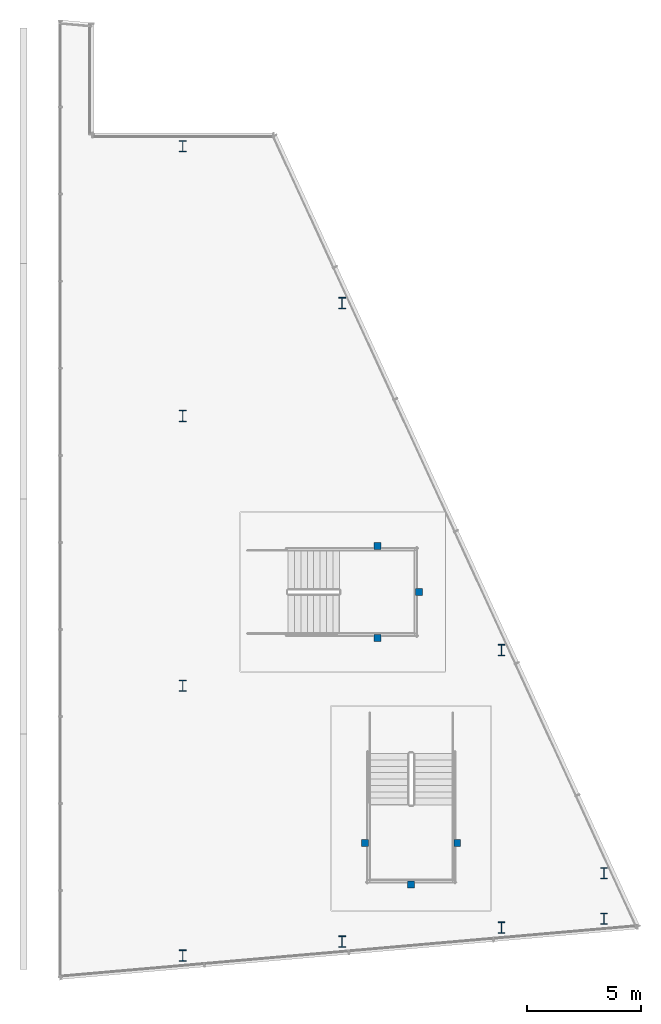
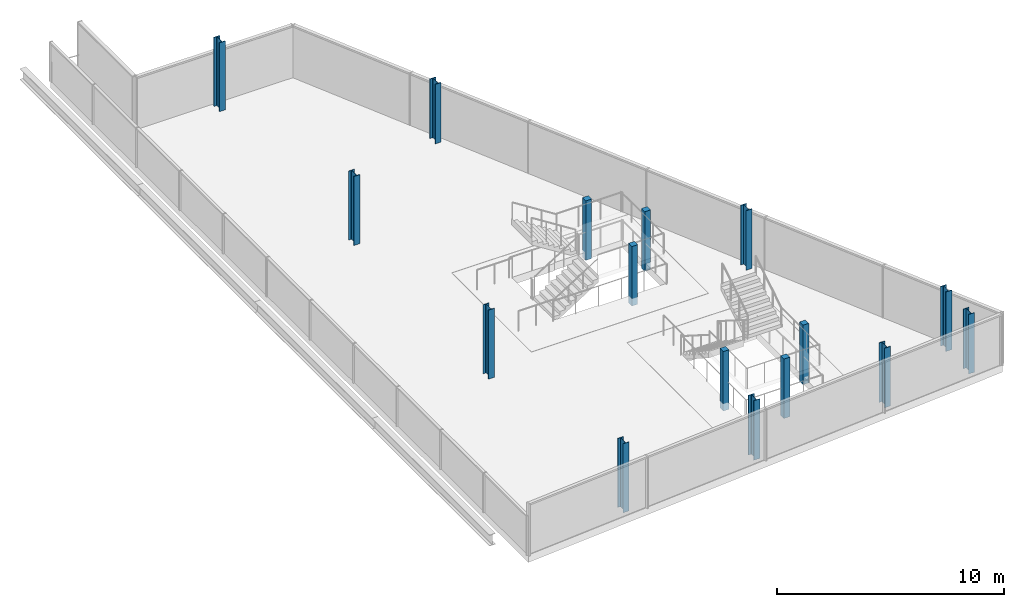
# One storey, part 1 of 6: 16 columns.
"""IFC4 building model written with IfcOpenShell, lengths in metres."""

import ifcopenshell
import ifcopenshell.guid

model = None  # the IFC model being written
_history = None  # IfcOwnerHistory: only IFC2X3 demands one
_inside = {}  # id of a spatial element -> (the spatial element, [elements in it])
_under = {}  # id of a project, library or spatial element -> (it, [spatial elements below it])
_declared = {}  # id of a project -> (the project, [libraries it declares])
_typed = {}  # id of a type object -> (the type object, [elements of that type])
_made_of = {}  # id of a material, layer set ... -> (it, [elements and type objects made of it])


def new_model(schema):
    """Start an empty IFC model of exactly this schema.

    Asked for "IFC4X3", IfcOpenShell would pick the latest addendum, in which some entities
    have other attributes; the version numbers below select the first issue.
    IFC2X3 requires an IfcOwnerHistory on every rooted entity: one is made here for all.
    """
    global model, _history
    if schema == "IFC4X3":
        model = ifcopenshell.file(schema_version=(4, 3, 0, 0))
    else:
        model = ifcopenshell.file(schema=schema)
    _inside.clear()
    _under.clear()
    _declared.clear()
    _typed.clear()
    _made_of.clear()
    _history = None
    if model.schema == "IFC2X3":
        org = make("IfcOrganization", Name="unknown")
        user = make(
            "IfcPersonAndOrganization",
            ThePerson=make("IfcPerson", FamilyName="unknown"),
            TheOrganization=org,
        )
        app = make(
            "IfcApplication",
            ApplicationDeveloper=org,
            Version="unknown",
            ApplicationFullName="unknown",
            ApplicationIdentifier="unknown",
        )
        _history = make(
            "IfcOwnerHistory",
            OwningUser=user,
            OwningApplication=app,
            ChangeAction="ADDED",
            CreationDate=0,
        )
    return model


def make(cls, **values):
    """One entity of the class cls with the attributes given. An attribute that is None is left unset."""
    return model.create_entity(
        cls, **{name: value for name, value in values.items() if value is not None}
    )


def rooted(cls, **values):
    """An entity with a GlobalId (a new one), such as an element, a storey or a relation."""
    return make(cls, GlobalId=ifcopenshell.guid.new(), OwnerHistory=_history, **values)


def si_unit(unit_type, name, prefix=None):
    """IfcSIUnit, for example si_unit("LENGTHUNIT", "METRE", prefix="MILLI")."""
    return make("IfcSIUnit", UnitType=unit_type, Prefix=prefix, Name=name)


def assignment(units):
    """IfcUnitAssignment: the units of a project."""
    return None if units is None else make("IfcUnitAssignment", Units=units)


def point(xyz):
    """IfcCartesianPoint."""
    return None if xyz is None else make("IfcCartesianPoint", Coordinates=xyz)


def direction(xyz):
    """IfcDirection."""
    return None if xyz is None else make("IfcDirection", DirectionRatios=xyz)


def frame(location, z_axis=None, x_axis=None):
    """IfcAxis2Placement3D, a coordinate frame: its origin and axes. An axis left out is left unset."""
    return make(
        "IfcAxis2Placement3D",
        Location=point(location),
        Axis=direction(z_axis),
        RefDirection=direction(x_axis),
    )


def frame_2d(location, x_axis=None):
    """IfcAxis2Placement2D, a coordinate frame in the plane: its origin and x axis."""
    return make(
        "IfcAxis2Placement2D", Location=point(location), RefDirection=direction(x_axis)
    )


def origin():
    """The frame at (0, 0, 0) with its axes left unset."""
    return frame((0.0, 0.0, 0.0))


def origin_2d():
    """The frame at (0, 0) in the plane with its x axis left unset."""
    return frame_2d((0.0, 0.0))


def place(relative_to, where):
    """IfcLocalPlacement: puts the frame where relative to a parent placement (None: the world)."""
    return make(
        "IfcLocalPlacement", PlacementRelTo=relative_to, RelativePlacement=where
    )


def context(
    kind, dimensions, precision=None, world=None, true_north=None, identifier=None
):
    """IfcGeometricRepresentationContext, for example the 3D "Model" context."""
    return make(
        "IfcGeometricRepresentationContext",
        ContextIdentifier=identifier,
        ContextType=kind,
        CoordinateSpaceDimension=dimensions,
        Precision=precision,
        WorldCoordinateSystem=world,
        TrueNorth=true_north,
    )


def subcontext(parent, identifier, kind, view, scale=None):
    """IfcGeometricRepresentationSubContext, for example "Body" below "Model"."""
    return make(
        "IfcGeometricRepresentationSubContext",
        ContextIdentifier=identifier,
        ContextType=kind,
        ParentContext=parent,
        TargetScale=scale,
        TargetView=view,
    )


def project(units=None, contexts=None):
    """IfcProject with its units and contexts."""
    return rooted(
        "IfcProject",
        Name="project",
        RepresentationContexts=contexts,
        UnitsInContext=assignment(units),
    )


def spatial(cls, under=None, at=None, **own):
    """A site, building, storey or space (cls), placed at a placement, below another one or the project."""
    s = rooted(cls, ObjectPlacement=at, **own)
    if under is not None:
        _under.setdefault(under.id(), (under, []))[1].append(s)
    return s


def profile(cls, at=None, kind="AREA", **sizes):
    """A parametric profile (cls). Its sizes go by their IFC names, for example OverallWidth=200.0."""
    return make(cls, ProfileType=kind, Position=at, **sizes)


def rectangle(**sizes):
    """IfcRectangleProfileDef."""
    return profile("IfcRectangleProfileDef", **sizes)


def i_section(**sizes):
    """IfcIShapeProfileDef."""
    return profile("IfcIShapeProfileDef", **sizes)


def extrude(swept, where, along, depth):
    """IfcExtrudedAreaSolid: the profile swept, set in the frame where, extruded along a direction by depth."""
    return make(
        "IfcExtrudedAreaSolid",
        SweptArea=swept,
        Position=where,
        ExtrudedDirection=direction(along),
        Depth=depth,
    )


def shape(context_of_items, identifier, shape_type, items):
    """IfcShapeRepresentation: the items that make up one representation, for example the "Body"."""
    return make(
        "IfcShapeRepresentation",
        ContextOfItems=context_of_items,
        RepresentationIdentifier=identifier,
        RepresentationType=shape_type,
        Items=items,
    )


def material(Name=None, Category=None):
    """IfcMaterial."""
    return make("IfcMaterial", Name=Name, Category=Category)


def material_profile(
    of_material, cross_section, Name=None, Category=None, Priority=None
):
    """IfcMaterialProfile: a cross section and its material."""
    return make(
        "IfcMaterialProfile",
        Name=Name,
        Material=of_material,
        Profile=cross_section,
        Priority=Priority,
        Category=Category,
    )


def profile_set(profiles, Name=None, composite=None):
    """IfcMaterialProfileSet."""
    return make(
        "IfcMaterialProfileSet",
        Name=Name,
        MaterialProfiles=profiles,
        CompositeProfile=composite,
    )


def made_of(thing, what):
    """Note that an element or type object is made of a material, layer set ...; save() writes the relation."""
    if what is not None:
        _made_of.setdefault(what.id(), (what, []))[1].append(thing)
    return thing


def type_object(cls, material=None, **own):
    """A type object (cls), such as IfcWallType, which elements share."""
    return made_of(rooted(cls, **own), material)


def element(
    cls,
    number,
    at=None,
    inside=None,
    cuts=None,
    type_object=None,
    material=None,
    context=None,
    identifier="Body",
    shape_type=None,
    held_by="IfcProductDefinitionShape",
    body=None,
    shapes=None,
    **own,
):
    """One element of the class cls, such as IfcWall. Its Tag is "e" and its number.

    at: its placement. inside: the storey or other place that contains it. cuts: it is an
    opening in that element (IfcRelVoidsElement). A single representation is given by context,
    identifier, shape_type and body (its items); several are given by shapes. held_by: the class
    of the entity that holds the representations. save() writes the other relations.
    """
    e = rooted(cls, Tag="e%d" % number, ObjectPlacement=at, **own)
    if body is not None:
        shapes = [shape(context, identifier, shape_type, body)]
    if shapes is not None:
        e.Representation = make(held_by, Representations=shapes)
    if inside is not None:
        _inside.setdefault(inside.id(), (inside, []))[1].append(e)
    if cuts is not None:
        rooted(
            "IfcRelVoidsElement", RelatingBuildingElement=cuts, RelatedOpeningElement=e
        )
    if type_object is not None:
        _typed.setdefault(type_object.id(), (type_object, []))[1].append(e)
    return made_of(e, material)


def aggregate(whole, parts):
    """IfcRelAggregates: a whole, such as a stair, and the parts it consists of."""
    return rooted("IfcRelAggregates", RelatingObject=whole, RelatedObjects=parts)


def save(model, path):
    """Write the relations noted so far, then the file.

    IfcRelAggregates (storeys below a building ...), IfcRelContainedInSpatialStructure (elements
    in a storey), IfcRelDefinesByType, IfcRelAssociatesMaterial and IfcRelDeclares: one each for
    every whole, place, type object, material and project.
    """
    for whole, parts in _under.values():
        aggregate(whole, parts)
    for where, things in _inside.values():
        rooted(
            "IfcRelContainedInSpatialStructure",
            RelatedElements=things,
            RelatingStructure=where,
        )
    for kind, things in _typed.values():
        rooted("IfcRelDefinesByType", RelatedObjects=things, RelatingType=kind)
    for what, things in _made_of.values():
        rooted("IfcRelAssociatesMaterial", RelatedObjects=things, RelatingMaterial=what)
    for by, libraries in _declared.values():
        rooted("IfcRelDeclares", RelatingContext=by, RelatedDefinitions=libraries)
    model.write(path)


model = new_model("IFC4")

# Units and contexts
model_context = context("Model", 3, precision=1e-05, world=origin(), true_north=direction((0.0, 1.0)))
body_context = subcontext(model_context, "Body", "Model", "MODEL_VIEW")
ifc_project = project(units=[si_unit("LENGTHUNIT", "METRE"), si_unit("AREAUNIT", "SQUARE_METRE"), si_unit("VOLUMEUNIT", "CUBIC_METRE"), si_unit("PLANEANGLEUNIT", "RADIAN"), si_unit("MASSUNIT", "GRAM", prefix="KILO")], contexts=[model_context])

# Site, building, storey
site_placement = place(None, origin())
site = spatial("IfcSite", under=ifc_project, at=site_placement, CompositionType="ELEMENT")
building_placement = place(site_placement, origin())
building = spatial("IfcBuilding", under=site, at=building_placement, Name="Wharfspan Tower", CompositionType="ELEMENT")
storey_placement = place(building_placement, frame((0.0, 0.0, 273.899902)))
storey = spatial("IfcBuildingStorey", under=building, at=storey_placement, Name="L70", CompositionType="ELEMENT", Elevation=273.899902)

# Columns
ifc_material_1 = material(Name="Steel S355J2", Category="steel")
ifc_material_profile_1 = material_profile(ifc_material_1, i_section(OverallWidth=0.300049, OverallDepth=0.5, WebThickness=0.014404, FlangeThickness=0.028076, FilletRadius=0.0271, at=origin_2d()))
ifc_profile_set_1 = profile_set([ifc_material_profile_1], Name="Steel S355J2")
column_type_1 = type_object("IfcColumnType", Name="Crown column HEB 500", PredefinedType="COLUMN", material=ifc_profile_set_1)
for number, where, z_axis, x_axis, name in (
    (1, (58.0, 7.550293, 0.0), (0.0, 0.0, 1.0), (1.0, 0.0, 0.0), "Crown column CR6 8 L70"),
    (2, (58.0, 19.400146, 0.0), (0.0, 0.0, 1.0), (1.0, 0.0, 0.0), "Crown column CR6 19 L70"),
    (3, (58.0, 31.25, 0.0), (0.0, 0.0, 1.0), (1.0, 0.0, 0.0), "Crown column CR6 31 L70"),
    (4, (58.0, 43.100098, 0.0), (0.0, 0.0, 1.0), (1.0, 0.0, 0.0), "Crown column CR6 43 L70"),
):
    element("IfcColumn", number, at=place(storey_placement, frame(where, z_axis=z_axis, x_axis=x_axis)), inside=storey, type_object=column_type_1, Name=name, PredefinedType="COLUMN", context=body_context, shape_type="SweptSolid", body=[
        extrude(i_section(OverallWidth=0.300049, OverallDepth=0.5, WebThickness=0.014404, FlangeThickness=0.028076, FilletRadius=0.0271, at=origin_2d()), origin(), (0.0, 0.0, 1.0), 3.706543),
    ])
for number, where, z_axis, x_axis, name in (
    (5, (65.0, 8.162598, 0.0), (0.0, 0.0, 1.0), (1.0, 0.0, 0.0), "Crown column CR7 8 L70"),
    (6, (65.0, 36.211182, 0.0), (0.0, 0.0, 1.0), (1.0, 0.0, 0.0), "Crown column CR7 36 L70"),
    (7, (72.0, 8.775146, 0.0), (0.0, 0.0, 1.0), (1.0, 0.0, 0.0), "Crown column CR8 9 L70"),
    (8, (72.0, 20.966797, 0.0), (0.0, 0.0, 1.0), (1.0, 0.0, 0.0), "Crown column CR8 21 L70"),
    (9, (76.5, 9.168701, 0.0), (0.0, 0.0, 1.0), (1.0, 0.0, 0.0), "Crown column CR9 9 L70"),
    (10, (76.5, 11.166748, 0.0), (0.0, 0.0, 1.0), (1.0, 0.0, 0.0), "Crown column CR9 11 L70"),
):
    element("IfcColumn", number, at=place(storey_placement, frame(where, z_axis=z_axis, x_axis=x_axis)), inside=storey, type_object=column_type_1, Name=name, PredefinedType="COLUMN", context=body_context, shape_type="SweptSolid", body=[
        extrude(i_section(OverallWidth=0.300049, OverallDepth=0.5, WebThickness=0.014404, FlangeThickness=0.028076, FilletRadius=0.0271, at=origin_2d()), origin(), (0.0, 0.0, 1.0), 3.200195),
    ])
ifc_material_2 = material(Name="Concrete C40/50", Category="concrete")
ifc_material_profile_2 = material_profile(ifc_material_2, rectangle(XDim=0.300049, YDim=0.300049, at=origin_2d()))
ifc_profile_set_2 = profile_set([ifc_material_profile_2], Name="Concrete C40/50")
column_type_2 = type_object("IfcColumnType", Name="Open stair support post 300 C40/50", PredefinedType="COLUMN", material=ifc_profile_set_2)
for number, where, z_axis, x_axis, name in (
    (11, (66.006592, 12.501709, -0.399902), (0.0, 0.0, 1.0), (1.0, 0.0, 0.0), "Open stair support post L70"),
    (12, (70.056641, 12.501709, -0.399902), (0.0, 0.0, 1.0), (1.0, 0.0, 0.0), "Open stair support post L70"),
    (13, (68.031494, 10.671631, -0.399902), (0.0, 0.0, 1.0), (1.0, 0.0, 0.0), "Open stair support post L70"),
    (14, (66.551514, 21.496582, -0.399902), (0.0, 0.0, 1.0), (1.0, 0.0, 0.0), "Open stair support post L70"),
    (15, (66.551514, 25.546631, -0.399902), (0.0, 0.0, 1.0), (1.0, 0.0, 0.0), "Open stair support post L70"),
    (16, (68.381592, 23.521729, -0.399902), (0.0, 0.0, 1.0), (1.0, 0.0, 0.0), "Open stair support post L70"),
):
    element("IfcColumn", number, at=place(storey_placement, frame(where, z_axis=z_axis, x_axis=x_axis)), inside=storey, type_object=column_type_2, Name=name, PredefinedType="COLUMN", context=body_context, shape_type="SweptSolid", body=[
        extrude(rectangle(XDim=0.300049, YDim=0.300049, at=origin_2d()), origin(), (0.0, 0.0, 1.0), 3.199951),
    ])

save(model, "model.ifc")
